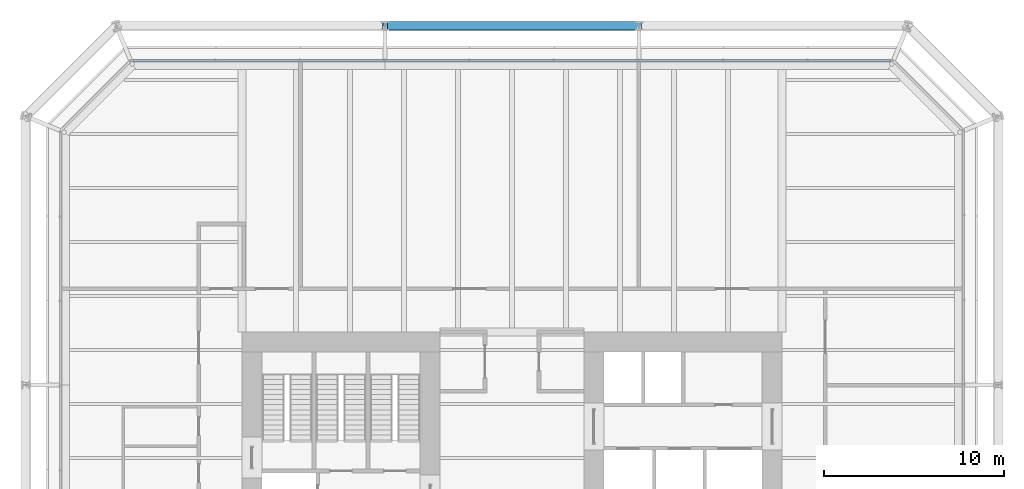
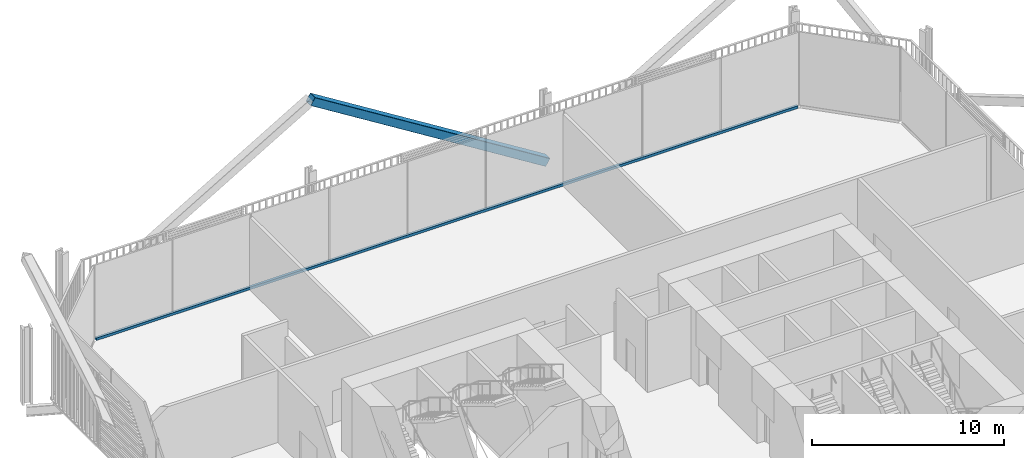
# One storey, part 15 of 22: 2 members, 1 element without a shape of its own.
"""IFC4 building model written with IfcOpenShell, lengths in metres."""

from ifc_helpers import new_model, si_unit, direction, frame, origin, origin_2d, place, context, subcontext, project, spatial, rectangle, hollow_rectangle, extrude, material, layer, layer_set, material_profile, profile_set, type_object, element, aggregate, save


model = new_model("IFC4")

# Units and contexts
model_context = context("Model", 3, precision=1e-05, world=origin(), true_north=direction((0.0, 1.0)))
body_context = subcontext(model_context, "Body", "Model", "MODEL_VIEW")
ifc_project = project(units=[si_unit("LENGTHUNIT", "METRE"), si_unit("AREAUNIT", "SQUARE_METRE"), si_unit("VOLUMEUNIT", "CUBIC_METRE"), si_unit("PLANEANGLEUNIT", "RADIAN"), si_unit("MASSUNIT", "GRAM", prefix="KILO")], contexts=[model_context])

# Site, building, storey
site_placement = place(None, origin())
site = spatial("IfcSite", under=ifc_project, at=site_placement, CompositionType="ELEMENT")
building_placement = place(site_placement, origin())
building = spatial("IfcBuilding", under=site, at=building_placement, Name="Millrace Tower", CompositionType="ELEMENT")
storey_placement = place(building_placement, frame((0.0, 0.0, 54.5)))
storey = spatial("IfcBuildingStorey", under=building, at=storey_placement, Name="L12", CompositionType="ELEMENT", Elevation=54.5)

# Curtain wall, member
ifc_material_1 = material(Name="Aluminium and glass", Category="aluminium")
ifc_layer = layer(ifc_material_1, 0.14990234375)
ifc_layer_set = layer_set([ifc_layer], Name="Aluminium and glass")
curtain_wall_type = type_object("IfcCurtainWallType", Name="CW-2 data hall insulated curtain wall", PredefinedType="NOTDEFINED", material=ifc_layer_set)
curtain_wall_placement = place(storey_placement, origin())
curtain_wall = element("IfcCurtainWall", 1, at=curtain_wall_placement, inside=storey, type_object=curtain_wall_type, Name="Curtain wall A-F06 L12", PredefinedType="NOTDEFINED")
ifc_material_2 = material(Name="Aluminium", Category="aluminium")
ifc_material_profile_1 = material_profile(ifc_material_2, rectangle(XDim=0.14990234375, YDim=0.159912109375, at=origin_2d()))
ifc_profile_set_1 = profile_set([ifc_material_profile_1], Name="Aluminium")
member_type_1 = type_object("IfcMemberType", Name="CW-2 data hall insulated curtain wall transom", PredefinedType="USERDEFINED", material=ifc_profile_set_1)
member_1_placement = place(storey_placement, frame((21.050048828125, 25.074951171875, 0.080078125), z_axis=(-1.0, 0.0, 0.0), x_axis=(0.0, -1.0, 0.0)))
member_1 = element("IfcMember", 2, at=member_1_placement, type_object=member_type_1, Name="CW2 transom A-F06.1", ObjectType="TRANSOM", PredefinedType="USERDEFINED", context=body_context, shape_type="SweptSolid", body=[
    extrude(rectangle(XDim=0.14990234375, YDim=0.159912109375, at=origin_2d()), origin(), (0.0, 0.0, 1.0), 42.10009765625),
])
aggregate(curtain_wall, [member_1])

# Member
ifc_material_3 = material(Name="Steel ASTM A500 Grade C", Category="steel")
ifc_material_profile_2 = material_profile(ifc_material_3, hollow_rectangle(XDim=0.508056640625, YDim=0.508056640625, WallThickness=0.01904296875, InnerFilletRadius=0.009521484375, OuterFilletRadius=0.028564453125, at=origin_2d()))
ifc_profile_set_2 = profile_set([ifc_material_profile_2], Name="Steel ASTM A500 Grade C")
member_type_2 = type_object("IfcMemberType", Name="Exoskeleton brace HSS20x20x3/4", PredefinedType="BRACE", material=ifc_profile_set_2)
member_2_placement = place(storey_placement, frame((7.050048828125, 27.0, 0.39990234375), z_axis=(-0.848336468551, 0.0, 0.529457492276), x_axis=(0.0, -1.0, 0.0)))
element("IfcMember", 3, at=member_2_placement, inside=storey, type_object=member_type_2, Name="BRC-A-L12-11", PredefinedType="BRACE", context=body_context, shape_type="SweptSolid", body=[
    extrude(hollow_rectangle(XDim=0.508056640625, YDim=0.508056640625, WallThickness=0.01904296875, InnerFilletRadius=0.009521484375, OuterFilletRadius=0.028564453125, at=origin_2d()), origin(), (0.0, 0.0, 1.0), 16.620849609375),
])

save(model, "model.ifc")
